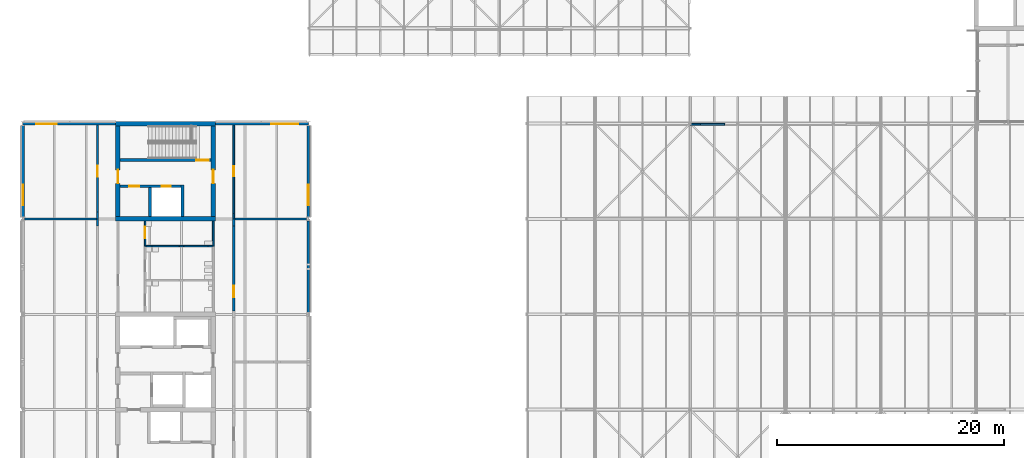
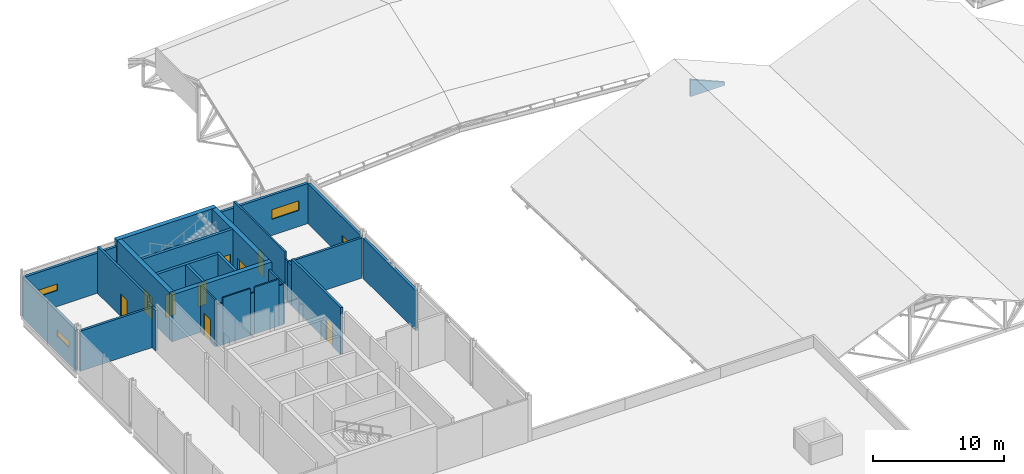
# One storey, part 33 of 76: 30 walls, 9 doors, 4 windows, 13 openings.
"""IFC4 building model written with IfcOpenShell, lengths in metres."""

from ifc_helpers import new_model, si_unit, direction, frame, frame_2d, origin, place, context, subcontext, project, spatial, polyline, rectangle, outline, extrude, material, layer, layer_set, type_object, element, fill, save


model = new_model("IFC4")

# Units and contexts
model_context = context("Model", 3, precision=1e-05, world=origin(), true_north=direction((0.0, 1.0)))
body_context = subcontext(model_context, "Body", "Model", "MODEL_VIEW")
ifc_project = project(units=[si_unit("LENGTHUNIT", "METRE"), si_unit("AREAUNIT", "SQUARE_METRE"), si_unit("VOLUMEUNIT", "CUBIC_METRE"), si_unit("PLANEANGLEUNIT", "RADIAN"), si_unit("MASSUNIT", "GRAM", prefix="KILO")], contexts=[model_context])

# Site, building, storey
site_placement = place(None, origin())
site = spatial("IfcSite", under=ifc_project, at=site_placement, CompositionType="ELEMENT")
building_placement = place(site_placement, origin())
building = spatial("IfcBuilding", under=site, at=building_placement, Name="Hlaing Beacon Police Headquarters", CompositionType="ELEMENT")
storey_placement = place(building_placement, frame((0.0, 0.0, 18.89990234375)))
storey = spatial("IfcBuildingStorey", under=building, at=storey_placement, Name="L04", CompositionType="ELEMENT", Elevation=18.89990234375)

# Walls
ifc_material_1 = material(Name="Concrete C60/75", Category="concrete")
ifc_layer_1 = layer(ifc_material_1, 0.39990234375)
ifc_layer_set_1 = layer_set([ifc_layer_1], Name="Concrete C60/75")
wall_type_1 = type_object("IfcWallType", Name="Core shear wall 400", PredefinedType="SHEAR", material=ifc_layer_set_1)
for number, where, z_axis, x_axis, name in (
    (1, (16.60009765625, 58.800048828125, 0.0), (0.0, 0.0, 1.0), (1.0, 0.0, 0.0), "Core shear wall"),
    (2, (16.60009765625, 67.199951171875, 0.0), (0.0, 0.0, 1.0), (1.0, 0.0, 0.0), "Core shear wall"),
):
    element("IfcWall", number, at=place(storey_placement, frame(where, z_axis=z_axis, x_axis=x_axis)), inside=storey, type_object=wall_type_1, Name=name, PredefinedType="SHEAR", context=body_context, shape_type="SweptSolid", body=[
        extrude(rectangle(XDim=8.7998046875, YDim=0.39990234375, at=frame_2d((4.39990234375, 0.0))), origin(), (0.0, 0.0, 1.0), 4.3701171875),
    ])

# Wall, opening, door
wall_1_placement = place(storey_placement, frame((16.800048828125, 59.0, 0.0), z_axis=(0.0, 0.0, 1.0), x_axis=(0.0, 1.0, 0.0)))
wall_1 = element("IfcWall", 3, at=wall_1_placement, inside=storey, type_object=wall_type_1, Name="Core shear wall", PredefinedType="SHEAR", context=body_context, shape_type="SweptSolid", body=[
    extrude(rectangle(XDim=8.0, YDim=0.39990234375, at=frame_2d((4.0, 0.0))), origin(), (0.0, 0.0, 1.0), 4.3701171875),
])
opening_1_placement = place(wall_1_placement, frame((2.925048828125, 0.0, 0.0)))
opening_1 = element("IfcOpeningElement", 4, at=opening_1_placement, cuts=wall_1, Name="Opening L04-923", PredefinedType="OPENING", context=body_context, shape_type="SweptSolid", body=[
    extrude(rectangle(XDim=1.199951171875, YDim=2.10009765625, at=frame_2d((0.60009765625, 1.050048828125))), frame((0.0, 0.2099609375, 0.0), z_axis=(0.0, -1.0, 0.0), x_axis=(1.0, 0.0, 0.0)), (0.0, 0.0, 1.0), 0.419921875),
])
ifc_material_2 = material(Name="Steel fire door leaf", Category="steel")
ifc_layer_2 = layer(ifc_material_2, 0.070068359375)
ifc_layer_set_2 = layer_set([ifc_layer_2], Name="Steel fire door leaf")
door_type_1 = type_object("IfcDoorType", Name="Steel fire door FD60S 1200x2100", OperationType="SINGLE_SWING_LEFT", PredefinedType="DOOR", material=ifc_layer_set_2)
door_1_placement = place(opening_1_placement, frame((1.199951171875, 0.0, 0.0), z_axis=(0.0, 0.0, 1.0), x_axis=(-1.0, 0.0, 0.0)))
door_1 = element("IfcDoor", 5, at=door_1_placement, inside=storey, type_object=door_type_1, Name="Door Stair Lobby ST-P Entry", OperationType="SINGLE_SWING_LEFT", OverallHeight=2.10009765625, OverallWidth=1.199951171875, PredefinedType="DOOR", context=body_context, shape_type="SweptSolid", body=[
    extrude(rectangle(XDim=1.199951171875, YDim=2.10009765625, at=frame_2d((0.599853515625, 1.050048828125))), frame((0.0, 0.034912109375, 0.0), z_axis=(0.0, -1.0, 0.0), x_axis=(1.0, 0.0, 0.0)), (0.0, 0.0, 1.0), 0.070068359375),
])
fill(opening_1, door_1)

wall_2_placement = place(storey_placement, frame((25.199951171875, 59.0, 0.0), z_axis=(0.0, 0.0, 1.0), x_axis=(0.0, 1.0, 0.0)))
wall_2 = element("IfcWall", 6, at=wall_2_placement, inside=storey, type_object=wall_type_1, Name="Core shear wall", PredefinedType="SHEAR", context=body_context, shape_type="SweptSolid", body=[
    extrude(rectangle(XDim=8.0, YDim=0.39990234375, at=frame_2d((4.0, 0.0))), origin(), (0.0, 0.0, 1.0), 4.3701171875),
])
opening_2_placement = place(wall_2_placement, frame((2.925048828125, 0.0, 0.0)))
opening_2 = element("IfcOpeningElement", 7, at=opening_2_placement, cuts=wall_2, Name="Opening L04-924", PredefinedType="OPENING", context=body_context, shape_type="SweptSolid", body=[
    extrude(rectangle(XDim=1.199951171875, YDim=2.10009765625, at=frame_2d((0.60009765625, 1.050048828125))), frame((0.0, 0.2099609375, 0.0), z_axis=(0.0, -1.0, 0.0), x_axis=(1.0, 0.0, 0.0)), (0.0, 0.0, 1.0), 0.419921875),
])
door_2_placement = place(opening_2_placement, origin())
door_2 = element("IfcDoor", 8, at=door_2_placement, inside=storey, type_object=door_type_1, Name="Door Stair Lobby ST-P Entry", OperationType="SINGLE_SWING_RIGHT", OverallHeight=2.10009765625, OverallWidth=1.199951171875, PredefinedType="DOOR", context=body_context, shape_type="SweptSolid", body=[
    extrude(rectangle(XDim=1.199951171875, YDim=2.10009765625, at=frame_2d((0.60009765625, 1.050048828125))), frame((0.0, 0.03515625, 0.0), z_axis=(0.0, -1.0, 0.0), x_axis=(1.0, 0.0, 0.0)), (0.0, 0.0, 1.0), 0.070068359375),
])
fill(opening_2, door_2)

# Wall
ifc_material_3 = material(Name="Gypsum board partition")
ifc_layer_3 = layer(ifc_material_3, 0.14990234375)
ifc_layer_set_3 = layer_set([ifc_layer_3], Name="Gypsum board partition")
wall_type_2 = type_object("IfcWallType", Name="Corridor wall EI 30 150", PredefinedType="PARTITIONING", material=ifc_layer_set_3)
wall_3_placement = place(storey_placement, frame((27.0, 58.800048828125, 0.0), z_axis=(0.0, 0.0, 1.0), x_axis=(0.0, 1.0, 0.0)))
element("IfcWall", 9, at=wall_3_placement, inside=storey, type_object=wall_type_2, Name="Corridor wall EI 30 150", PredefinedType="PARTITIONING", context=body_context, shape_type="SweptSolid", body=[
    extrude(rectangle(XDim=0.4599609375, YDim=0.14990234375, at=frame_2d((0.22998046875, 0.0))), origin(), (0.0, 0.0, 1.0), 3.74609375),
])

# Wall, opening, door
wall_4_placement = place(storey_placement, frame((27.0, 59.260009765625, 0.0), z_axis=(0.0, 0.0, 1.0), x_axis=(0.0, 1.0, 0.0)))
wall_4 = element("IfcWall", 10, at=wall_4_placement, inside=storey, type_object=wall_type_2, Name="Corridor wall EI 30 150", PredefinedType="PARTITIONING", context=body_context, shape_type="SweptSolid", body=[
    extrude(rectangle(XDim=7.7900390625, YDim=0.14990234375, at=frame_2d((3.89501953125, 0.0))), origin(), (0.0, 0.0, 1.0), 4.3701171875),
])
opening_3_placement = place(wall_4_placement, frame((3.2900390625, 0.0, 0.0)))
opening_3 = element("IfcOpeningElement", 11, at=opening_3_placement, cuts=wall_4, Name="Opening L04-014", PredefinedType="OPENING", context=body_context, shape_type="SweptSolid", body=[
    extrude(rectangle(XDim=0.89990234375, YDim=2.10009765625, at=frame_2d((0.449951171875, 1.050048828125))), frame((0.0, 0.0849609375, 0.0), z_axis=(0.0, -1.0, 0.0), x_axis=(1.0, 0.0, 0.0)), (0.0, 0.0, 1.0), 0.169921875),
])
ifc_material_4 = material(Name="Hardwood door leaf", Category="wood")
ifc_layer_4 = layer(ifc_material_4, 0.050048828125)
ifc_layer_set_4 = layer_set([ifc_layer_4], Name="Hardwood door leaf")
door_type_2 = type_object("IfcDoorType", Name="Fire door FD30S 900x2100", OperationType="SINGLE_SWING_LEFT", PredefinedType="DOOR", material=ifc_layer_set_4)
door_3_placement = place(opening_3_placement, frame((0.89990234375, 0.0, 0.0), z_axis=(0.0, 0.0, 1.0), x_axis=(-1.0, 0.0, 0.0)))
door_3 = element("IfcDoor", 12, at=door_3_placement, inside=storey, type_object=door_type_2, Name="Door Laboratory Offices", OperationType="SINGLE_SWING_LEFT", OverallHeight=2.10009765625, OverallWidth=0.89990234375, PredefinedType="DOOR", context=body_context, shape_type="SweptSolid", body=[
    extrude(rectangle(XDim=0.89990234375, YDim=2.10009765625, at=frame_2d((0.449951171875, 1.050048828125))), frame((0.0, 0.025146484375, 0.0), z_axis=(0.0, -1.0, 0.0), x_axis=(1.0, 0.0, 0.0)), (0.0, 0.0, 1.0), 0.050048828125),
])
fill(opening_3, door_3)

# Walls
wall_5_placement = place(storey_placement, frame((25.199951171875, 56.39990234375, 0.0), z_axis=(0.0, 0.0, 1.0), x_axis=(0.0, 1.0, 0.0)))
element("IfcWall", 13, at=wall_5_placement, inside=storey, type_object=wall_type_2, Name="Corridor wall EI 30 150", PredefinedType="PARTITIONING", context=body_context, shape_type="SweptSolid", body=[
    extrude(rectangle(XDim=2.2001953125, YDim=0.14990234375, at=frame_2d((1.10009765625, 0.0))), origin(), (0.0, 0.0, 1.0), 3.74609375),
])
ifc_material_5 = material(Name="Insulated aluminium panel infill", Category="aluminium")
ifc_layer_5 = layer(ifc_material_5, 0.175048828125)
ifc_layer_set_5 = layer_set([ifc_layer_5], Name="Insulated aluminium panel infill")
wall_type_3 = type_object("IfcWallType", Name="Insulated panel infill wall 175", PredefinedType="SOLIDWALL", material=ifc_layer_set_5)
wall_6_placement = place(storey_placement, frame((70.2333984375, 67.137451171875, 0.0), z_axis=(0.0, 0.0, 1.0), x_axis=(-1.0, 0.0, 0.0)))
element("IfcWall", 14, at=wall_6_placement, inside=storey, type_object=wall_type_3, Name="Gable fascia L04 N002", PredefinedType="SOLIDWALL", context=body_context, shape_type="SweptSolid", body=[
    extrude(outline(polyline([(0.0, 0.0), (3.033447265625, 0.0), (3.033203125, 1.60009765625), (0.0, 0.300048828125), (0.0, 0.0)])), frame((0.0, 0.08740234375, 0.0), z_axis=(0.0, -1.0, 0.0), x_axis=(1.0, 0.0, 0.0)), (0.0, 0.0, 1.0), 0.175048828125),
])

# Wall, opening, door
ifc_material_6 = material(Name="Concrete blockwork 7.5 N/mm2", Category="masonry")
ifc_layer_6 = layer(ifc_material_6, 0.199951171875)
ifc_layer_set_6 = layer_set([ifc_layer_6], Name="Concrete blockwork 7.5 N/mm2")
wall_type_4 = type_object("IfcWallType", Name="Laboratory wall EI 60 200", PredefinedType="PARTITIONING", material=ifc_layer_set_6)
wall_7_placement = place(storey_placement, frame((27.0, 50.705078125, 0.0), z_axis=(0.0, 0.0, 1.0), x_axis=(0.0, 1.0, 0.0)))
wall_7 = element("IfcWall", 15, at=wall_7_placement, inside=storey, type_object=wall_type_4, Name="Laboratory wall EI 60 200", PredefinedType="PARTITIONING", context=body_context, shape_type="SweptSolid", body=[
    extrude(rectangle(XDim=7.48486328125, YDim=0.199951171875, at=frame_2d((3.742431640625, 0.0))), origin(), (0.0, 0.0, 1.0), 4.3701171875),
])
opening_4_placement = place(wall_7_placement, frame((1.195068359375, 0.0, 0.0)))
opening_4 = element("IfcOpeningElement", 16, at=opening_4_placement, cuts=wall_7, Name="Opening L04-013", PredefinedType="OPENING", context=body_context, shape_type="SweptSolid", body=[
    extrude(rectangle(XDim=1.0, YDim=2.10009765625, at=frame_2d((0.5, 1.050048828125))), frame((0.0, 0.10986328125, 0.0), z_axis=(0.0, -1.0, 0.0), x_axis=(1.0, 0.0, 0.0)), (0.0, 0.0, 1.0), 0.219970703125),
])
ifc_material_7 = material(Name="Hardwood door leaf", Category="wood")
ifc_layer_7 = layer(ifc_material_7, 0.050048828125)
ifc_layer_set_7 = layer_set([ifc_layer_7], Name="Hardwood door leaf")
door_type_3 = type_object("IfcDoorType", Name="Fire door FD30 1000x2100", OperationType="SINGLE_SWING_LEFT", PredefinedType="DOOR", material=ifc_layer_set_7)
door_4_placement = place(opening_4_placement, frame((1.0, 0.0, 0.0), z_axis=(0.0, 0.0, 1.0), x_axis=(-1.0, 0.0, 0.0)))
door_4 = element("IfcDoor", 17, at=door_4_placement, inside=storey, type_object=door_type_3, Name="Door Image Analysis Room", OperationType="SINGLE_SWING_RIGHT", OverallHeight=2.10009765625, OverallWidth=1.0, PredefinedType="DOOR", context=body_context, shape_type="SweptSolid", body=[
    extrude(rectangle(XDim=1.0, YDim=2.10009765625, at=frame_2d((0.5, 1.050048828125))), frame((0.0, 0.025146484375, 0.0), z_axis=(0.0, -1.0, 0.0), x_axis=(1.0, 0.0, 0.0)), (0.0, 0.0, 1.0), 0.050048828125),
])
fill(opening_4, door_4)

# Walls
for number, where, z_axis, x_axis, name in (
    (18, (27.0, 58.18994140625, 0.0), (0.0, 0.0, 1.0), (0.0, 1.0, 0.0), "Laboratory wall EI 60 200"),
    (19, (15.0, 58.18994140625, 0.0), (0.0, 0.0, 1.0), (0.0, 1.0, 0.0), "Laboratory wall EI 60 200"),
):
    element("IfcWall", number, at=place(storey_placement, frame(where, z_axis=z_axis, x_axis=x_axis)), inside=storey, type_object=wall_type_4, Name=name, PredefinedType="PARTITIONING", context=body_context, shape_type="SweptSolid", body=[
        extrude(rectangle(XDim=0.610107421875, YDim=0.199951171875, at=frame_2d((0.30517578125, 0.0))), origin(), (0.0, 0.0, 1.0), 3.74609375),
    ])
wall_8_placement = place(storey_placement, frame((15.0, 58.800048828125, 0.0), z_axis=(0.0, 0.0, 1.0), x_axis=(0.0, 1.0, 0.0)))
element("IfcWall", 20, at=wall_8_placement, inside=storey, type_object=wall_type_4, Name="Laboratory wall EI 60 200", PredefinedType="PARTITIONING", context=body_context, shape_type="SweptSolid", body=[
    extrude(rectangle(XDim=0.60986328125, YDim=0.199951171875, at=frame_2d((0.304931640625, 0.0))), origin(), (0.0, 0.0, 1.0), 3.74609375),
])

# Wall, opening, door
wall_9_placement = place(storey_placement, frame((15.0, 59.409912109375, 0.0), z_axis=(0.0, 0.0, 1.0), x_axis=(0.0, 1.0, 0.0)))
wall_9 = element("IfcWall", 21, at=wall_9_placement, inside=storey, type_object=wall_type_4, Name="Laboratory wall EI 60 200", PredefinedType="PARTITIONING", context=body_context, shape_type="SweptSolid", body=[
    extrude(rectangle(XDim=7.64013671875, YDim=0.199951171875, at=frame_2d((3.820068359375, 0.0))), origin(), (0.0, 0.0, 1.0), 4.3701171875),
])
opening_5_placement = place(wall_9_placement, frame((3.090087890625, 0.0, 0.0)))
opening_5 = element("IfcOpeningElement", 22, at=opening_5_placement, cuts=wall_9, Name="Opening L04-020", PredefinedType="OPENING", context=body_context, shape_type="SweptSolid", body=[
    extrude(rectangle(XDim=1.0, YDim=2.10009765625, at=frame_2d((0.5, 1.050048828125))), frame((0.0, 0.10986328125, 0.0), z_axis=(0.0, -1.0, 0.0), x_axis=(1.0, 0.0, 0.0)), (0.0, 0.0, 1.0), 0.219970703125),
])
door_5_placement = place(opening_5_placement, origin())
door_5 = element("IfcDoor", 23, at=door_5_placement, inside=storey, type_object=door_type_3, Name="Door Photography Studio", OperationType="SINGLE_SWING_LEFT", OverallHeight=2.10009765625, OverallWidth=1.0, PredefinedType="DOOR", context=body_context, shape_type="SweptSolid", body=[
    extrude(rectangle(XDim=1.0, YDim=2.10009765625, at=frame_2d((0.5, 1.050048828125))), frame((0.0, 0.02490234375, 0.0), z_axis=(0.0, -1.0, 0.0), x_axis=(1.0, 0.0, 0.0)), (0.0, 0.0, 1.0), 0.050048828125),
])
fill(opening_5, door_5)

# Walls
for number, where, z_axis, x_axis, name in (
    (24, (27.10009765625, 58.800048828125, 0.0), (0.0, 0.0, 1.0), (1.0, 0.0, 0.0), "Laboratory wall EI 60 200"),
    (25, (8.5849609375, 58.800048828125, 0.0), (0.0, 0.0, 1.0), (1.0, 0.0, 0.0), "Laboratory wall EI 60 200"),
):
    element("IfcWall", number, at=place(storey_placement, frame(where, z_axis=z_axis, x_axis=x_axis)), inside=storey, type_object=wall_type_4, Name=name, PredefinedType="PARTITIONING", context=body_context, shape_type="SweptSolid", body=[
        extrude(rectangle(XDim=6.31494140625, YDim=0.199951171875, at=frame_2d((3.157470703125, 0.0))), origin(), (0.0, 0.0, 1.0), 3.74609375),
    ])
ifc_material_8 = material(Name="Gypsum board partition")
ifc_layer_8 = layer(ifc_material_8, 0.125)
ifc_layer_set_8 = layer_set([ifc_layer_8], Name="Gypsum board partition")
wall_type_5 = type_object("IfcWallType", Name="Partition 125", PredefinedType="PARTITIONING", material=ifc_layer_set_8)
wall_10_placement = place(storey_placement, frame((19.261962890625, 56.39990234375, 0.0), z_axis=(0.0, 0.0, 1.0), x_axis=(1.0, 0.0, 0.0)))
element("IfcWall", 26, at=wall_10_placement, inside=storey, type_object=wall_type_5, Name="Partition 125", PredefinedType="PARTITIONING", context=body_context, shape_type="SweptSolid", body=[
    extrude(rectangle(XDim=0.531005859375, YDim=0.125, at=frame_2d((0.265625, 0.0))), origin(), (0.0, 0.0, 1.0), 3.89501953125),
])
wall_11_placement = place(storey_placement, frame((19.79296875, 56.39990234375, 0.0), z_axis=(0.0, 0.0, 1.0), x_axis=(1.0, 0.0, 0.0)))
element("IfcWall", 27, at=wall_11_placement, inside=storey, type_object=wall_type_5, Name="Partition 125", PredefinedType="PARTITIONING", context=body_context, shape_type="SweptSolid", body=[
    extrude(rectangle(XDim=2.4140625, YDim=0.125, at=frame_2d((1.20703125, 0.0))), origin(), (0.0, 0.0, 1.0), 4.3701171875),
])
wall_12_placement = place(storey_placement, frame((22.20703125, 56.39990234375, 0.0), z_axis=(0.0, 0.0, 1.0), x_axis=(1.0, 0.0, 0.0)))
element("IfcWall", 28, at=wall_12_placement, inside=storey, type_object=wall_type_5, Name="Partition 125", PredefinedType="PARTITIONING", context=body_context, shape_type="SweptSolid", body=[
    extrude(rectangle(XDim=0.385009765625, YDim=0.125, at=frame_2d((0.1923828125, 0.0))), origin(), (0.0, 0.0, 1.0), 3.89501953125),
])
wall_13_placement = place(storey_placement, frame((22.592041015625, 56.39990234375, 0.0), z_axis=(0.0, 0.0, 1.0), x_axis=(1.0, 0.0, 0.0)))
element("IfcWall", 29, at=wall_13_placement, inside=storey, type_object=wall_type_5, Name="Partition 125", PredefinedType="PARTITIONING", context=body_context, shape_type="SweptSolid", body=[
    extrude(rectangle(XDim=2.14794921875, YDim=0.125, at=frame_2d((1.073974609375, 0.0))), origin(), (0.0, 0.0, 1.0), 4.3701171875),
])
wall_14_placement = place(storey_placement, frame((24.739990234375, 56.39990234375, 0.0), z_axis=(0.0, 0.0, 1.0), x_axis=(1.0, 0.0, 0.0)))
element("IfcWall", 30, at=wall_14_placement, inside=storey, type_object=wall_type_5, Name="Partition 125", PredefinedType="PARTITIONING", context=body_context, shape_type="SweptSolid", body=[
    extrude(rectangle(XDim=0.385009765625, YDim=0.125, at=frame_2d((0.1923828125, 0.0))), origin(), (0.0, 0.0, 1.0), 3.74609375),
])

# Wall, opening, door
wall_15_placement = place(storey_placement, frame((19.199951171875, 56.39990234375, 0.0), z_axis=(0.0, 0.0, 1.0), x_axis=(0.0, 1.0, 0.0)))
wall_15 = element("IfcWall", 31, at=wall_15_placement, inside=storey, type_object=wall_type_5, Name="Partition 125", PredefinedType="PARTITIONING", context=body_context, shape_type="SweptSolid", body=[
    extrude(rectangle(XDim=2.2001953125, YDim=0.125, at=frame_2d((1.10009765625, 0.0))), origin(), (0.0, 0.0, 1.0), 4.3701171875),
])
opening_6_placement = place(wall_15_placement, frame((0.699951171875, 0.0, 0.0)))
opening_6 = element("IfcOpeningElement", 32, at=opening_6_placement, cuts=wall_15, Name="Opening L04-015", PredefinedType="OPENING", context=body_context, shape_type="SweptSolid", body=[
    extrude(rectangle(XDim=1.0, YDim=2.10009765625, at=frame_2d((0.5, 1.050048828125))), frame((0.0, 0.072509765625, 0.0), z_axis=(0.0, -1.0, 0.0), x_axis=(1.0, 0.0, 0.0)), (0.0, 0.0, 1.0), 0.14501953125),
])
ifc_material_9 = material(Name="Hardwood door leaf", Category="wood")
ifc_layer_9 = layer(ifc_material_9, 0.0400390625)
ifc_layer_set_9 = layer_set([ifc_layer_9], Name="Hardwood door leaf")
door_type_4 = type_object("IfcDoorType", Name="Door 1000x2100", OperationType="SINGLE_SWING_LEFT", PredefinedType="DOOR", material=ifc_layer_set_9)
door_6_placement = place(opening_6_placement, frame((1.0, 0.0, 0.0), z_axis=(0.0, 0.0, 1.0), x_axis=(-1.0, 0.0, 0.0)))
door_6 = element("IfcDoor", 33, at=door_6_placement, inside=storey, type_object=door_type_4, Name="Door Accessible WC", OperationType="SINGLE_SWING_RIGHT", OverallHeight=2.10009765625, OverallWidth=1.0, PredefinedType="DOOR", context=body_context, shape_type="SweptSolid", body=[
    extrude(rectangle(XDim=1.0, YDim=2.10009765625, at=frame_2d((0.5, 1.050048828125))), frame((0.0, 0.02001953125, 0.0), z_axis=(0.0, -1.0, 0.0), x_axis=(1.0, 0.0, 0.0)), (0.0, 0.0, 1.0), 0.0400390625),
])
fill(opening_6, door_6)

# Wall
ifc_material_10 = material(Name="Fibre cement ribbed cladding on insulated frame")
ifc_layer_10 = layer(ifc_material_10, 0.22509765625)
ifc_layer_set_10 = layer_set([ifc_layer_10], Name="Fibre cement ribbed cladding on insulated frame")
wall_type_6 = type_object("IfcWallType", Name="Ribbed fibre-cement clad wall 225", PredefinedType="SOLIDWALL", material=ifc_layer_set_10)
wall_16_placement = place(storey_placement, frame((33.5625, 50.57080078125, 0.0), z_axis=(0.0, 0.0, 1.0), x_axis=(0.0, 1.0, 0.0)))
element("IfcWall", 34, at=wall_16_placement, inside=storey, type_object=wall_type_6, Name="External wall L04 E023", PredefinedType="SOLIDWALL", context=body_context, shape_type="SweptSolid", body=[
    extrude(rectangle(XDim=8.05859375, YDim=0.22509765625, at=frame_2d((4.029296875, 0.0))), origin(), (0.0, 0.0, 1.0), 3.738037109375),
])

# Wall, opening, window
wall_17_placement = place(storey_placement, frame((33.5625, 58.970703125, 0.0), z_axis=(0.0, 0.0, 1.0), x_axis=(0.0, 1.0, 0.0)))
wall_17 = element("IfcWall", 35, at=wall_17_placement, inside=storey, type_object=wall_type_6, Name="External wall L04 E024", PredefinedType="SOLIDWALL", context=body_context, shape_type="SweptSolid", body=[
    extrude(rectangle(XDim=8.05908203125, YDim=0.22509765625, at=frame_2d((4.029541015625, 0.0))), origin(), (0.0, 0.0, 1.0), 3.74609375),
])
opening_7_placement = place(wall_17_placement, frame((1.029296875, 0.0, 1.5)))
opening_7 = element("IfcOpeningElement", 36, at=opening_7_placement, cuts=wall_17, Name="Opening WN14", PredefinedType="OPENING", context=body_context, shape_type="SweptSolid", body=[
    extrude(rectangle(XDim=1.800048828125, YDim=0.60009765625, at=frame_2d((0.89990234375, 0.300048828125))), frame((0.0, 0.12255859375, 0.0), z_axis=(0.0, -1.0, 0.0), x_axis=(1.0, 0.0, 0.0)), (0.0, 0.0, 1.0), 0.2451171875),
])
ifc_material_11 = material(Name="Aluminium frame with solar control glazing", Category="aluminium")
window_type_1 = type_object("IfcWindowType", Name="Strip window 1800x600 frame 80", PartitioningType="SINGLE_PANEL", PredefinedType="WINDOW", material=ifc_material_11)
window_1_placement = place(opening_7_placement, origin())
window_1 = element("IfcWindow", 37, at=window_1_placement, inside=storey, type_object=window_type_1, Name="Window L04 WJ", OverallHeight=0.60009765625, OverallWidth=1.800048828125, PartitioningType="SINGLE_PANEL", PredefinedType="WINDOW", context=body_context, shape_type="SweptSolid", body=[
    extrude(rectangle(XDim=1.800048828125, YDim=0.60009765625, at=frame_2d((0.89990234375, 0.300048828125))), frame((0.0, 0.0400390625, 0.0), z_axis=(0.0, -1.0, 0.0), x_axis=(1.0, 0.0, 0.0)), (0.0, 0.0, 1.0), 0.080078125),
])
fill(opening_7, window_1)

wall_18_placement = place(storey_placement, frame((33.594482421875, 67.16259765625, 0.0), z_axis=(0.0, 0.0, 1.0), x_axis=(-1.0, 0.0, 0.0)))
wall_18 = element("IfcWall", 38, at=wall_18_placement, inside=storey, type_object=wall_type_6, Name="External wall L04 N025", PredefinedType="SOLIDWALL", context=body_context, shape_type="SweptSolid", body=[
    extrude(rectangle(XDim=8.194580078125, YDim=0.22509765625, at=frame_2d((4.09716796875, 0.0))), origin(), (0.0, 0.0, 1.0), 3.74609375),
])
opening_8_placement = place(wall_18_placement, frame((0.89453125, 0.0, 1.5)))
opening_8 = element("IfcOpeningElement", 39, at=opening_8_placement, cuts=wall_18, Name="Opening WN34", PredefinedType="OPENING", context=body_context, shape_type="SweptSolid", body=[
    extrude(rectangle(XDim=2.39990234375, YDim=0.89990234375, at=frame_2d((1.199951171875, 0.449951171875))), frame((0.0, 0.12255859375, 0.0), z_axis=(0.0, -1.0, 0.0), x_axis=(1.0, 0.0, 0.0)), (0.0, 0.0, 1.0), 0.2451171875),
])
ifc_material_12 = material(Name="Aluminium frame with solar control glazing", Category="aluminium")
window_type_2 = type_object("IfcWindowType", Name="Laboratory high window 2400x900 frame 60", PartitioningType="SINGLE_PANEL", PredefinedType="WINDOW", material=ifc_material_12)
window_2_placement = place(opening_8_placement, origin())
window_2 = element("IfcWindow", 40, at=window_2_placement, inside=storey, type_object=window_type_2, Name="Window L04 WF", OverallHeight=0.89990234375, OverallWidth=2.39990234375, PartitioningType="SINGLE_PANEL", PredefinedType="WINDOW", context=body_context, shape_type="SweptSolid", body=[
    extrude(rectangle(XDim=2.39990234375, YDim=0.89990234375, at=frame_2d((1.199951171875, 0.449951171875))), frame((0.0, 0.030029296875, 0.0), z_axis=(0.0, -1.0, 0.0), x_axis=(1.0, 0.0, 0.0)), (0.0, 0.0, 1.0), 0.06005859375),
])
fill(opening_8, window_2)

wall_19_placement = place(storey_placement, frame((16.60009765625, 67.16259765625, 0.0), z_axis=(0.0, 0.0, 1.0), x_axis=(-1.0, 0.0, 0.0)))
wall_19 = element("IfcWall", 41, at=wall_19_placement, inside=storey, type_object=wall_type_6, Name="External wall L04 N026", PredefinedType="SOLIDWALL", context=body_context, shape_type="SweptSolid", body=[
    extrude(rectangle(XDim=8.194580078125, YDim=0.22509765625, at=frame_2d((4.09716796875, 0.0))), origin(), (0.0, 0.0, 1.0), 3.74609375),
])
opening_9_placement = place(wall_19_placement, frame((5.199951171875, 0.0, 1.5)))
opening_9 = element("IfcOpeningElement", 42, at=opening_9_placement, cuts=wall_19, Name="Opening WN19", PredefinedType="OPENING", context=body_context, shape_type="SweptSolid", body=[
    extrude(rectangle(XDim=1.800048828125, YDim=0.60009765625, at=frame_2d((0.89990234375, 0.300048828125))), frame((0.0, 0.12255859375, 0.0), z_axis=(0.0, -1.0, 0.0), x_axis=(1.0, 0.0, 0.0)), (0.0, 0.0, 1.0), 0.2451171875),
])
ifc_material_13 = material(Name="Aluminium frame with solar control glazing", Category="aluminium")
window_type_3 = type_object("IfcWindowType", Name="Strip window 1800x600 frame 60", PartitioningType="SINGLE_PANEL", PredefinedType="WINDOW", material=ifc_material_13)
window_3_placement = place(opening_9_placement, origin())
window_3 = element("IfcWindow", 43, at=window_3_placement, inside=storey, type_object=window_type_3, Name="Window L04 WJ", OverallHeight=0.60009765625, OverallWidth=1.800048828125, PartitioningType="SINGLE_PANEL", PredefinedType="WINDOW", context=body_context, shape_type="SweptSolid", body=[
    extrude(rectangle(XDim=1.800048828125, YDim=0.60009765625, at=frame_2d((0.89990234375, 0.300048828125))), frame((0.0, 0.030029296875, 0.0), z_axis=(0.0, -1.0, 0.0), x_axis=(1.0, 0.0, 0.0)), (0.0, 0.0, 1.0), 0.06005859375),
])
fill(opening_9, window_3)

wall_20_placement = place(storey_placement, frame((8.4375, 67.02978515625, 0.0), z_axis=(0.0, 0.0, 1.0), x_axis=(0.0, -1.0, 0.0)))
wall_20 = element("IfcWall", 44, at=wall_20_placement, inside=storey, type_object=wall_type_6, Name="External wall L04 W027", PredefinedType="SOLIDWALL", context=body_context, shape_type="SweptSolid", body=[
    extrude(rectangle(XDim=8.05908203125, YDim=0.22509765625, at=frame_2d((4.029541015625, 0.0))), origin(), (0.0, 0.0, 1.0), 3.74609375),
])
opening_10_placement = place(wall_20_placement, frame((5.229736328125, 0.0, 1.5)))
opening_10 = element("IfcOpeningElement", 45, at=opening_10_placement, cuts=wall_20, Name="Opening WN14", PredefinedType="OPENING", context=body_context, shape_type="SweptSolid", body=[
    extrude(rectangle(XDim=1.800048828125, YDim=0.60009765625, at=frame_2d((0.89990234375, 0.300048828125))), frame((0.0, 0.12255859375, 0.0), z_axis=(0.0, -1.0, 0.0), x_axis=(1.0, 0.0, 0.0)), (0.0, 0.0, 1.0), 0.2451171875),
])
window_4_placement = place(opening_10_placement, origin())
window_4 = element("IfcWindow", 46, at=window_4_placement, inside=storey, type_object=window_type_1, Name="Window L04 WJ", OverallHeight=0.60009765625, OverallWidth=1.800048828125, PartitioningType="SINGLE_PANEL", PredefinedType="WINDOW", context=body_context, shape_type="SweptSolid", body=[
    extrude(rectangle(XDim=1.800048828125, YDim=0.60009765625, at=frame_2d((0.89990234375, 0.300048828125))), frame((0.0, 0.0400390625, 0.0), z_axis=(0.0, -1.0, 0.0), x_axis=(1.0, 0.0, 0.0)), (0.0, 0.0, 1.0), 0.080078125),
])
fill(opening_10, window_4)

# Wall, opening, door
ifc_material_14 = material(Name="Concrete C40/50", Category="concrete")
ifc_layer_11 = layer(ifc_material_14, 0.25)
ifc_layer_set_11 = layer_set([ifc_layer_11], Name="Concrete C40/50")
wall_type_7 = type_object("IfcWallType", Name="Shaft wall 250", PredefinedType="SOLIDWALL", material=ifc_layer_set_11)
wall_21_placement = place(storey_placement, frame((25.0, 63.97509765625, 0.0), z_axis=(0.0, 0.0, 1.0), x_axis=(-1.0, 0.0, 0.0)))
wall_21 = element("IfcWall", 47, at=wall_21_placement, inside=storey, type_object=wall_type_7, Name="Stair enclosure wall", PredefinedType="SOLIDWALL", context=body_context, shape_type="SweptSolid", body=[
    extrude(rectangle(XDim=8.0, YDim=0.25, at=frame_2d((4.0, 0.0))), origin(), (0.0, 0.0, 1.0), 4.3701171875),
])
opening_11_placement = place(wall_21_placement, frame((0.199951171875, 0.0, 0.0)))
opening_11 = element("IfcOpeningElement", 48, at=opening_11_placement, cuts=wall_21, Name="Opening L04-926", PredefinedType="OPENING", context=body_context, shape_type="SweptSolid", body=[
    extrude(rectangle(XDim=1.10009765625, YDim=2.10009765625, at=frame_2d((0.550048828125, 1.050048828125))), frame((0.0, 0.135009765625, 0.0), z_axis=(0.0, -1.0, 0.0), x_axis=(1.0, 0.0, 0.0)), (0.0, 0.0, 1.0), 0.27001953125),
])
ifc_material_15 = material(Name="Steel fire door leaf", Category="steel")
ifc_layer_12 = layer(ifc_material_15, 0.070068359375)
ifc_layer_set_12 = layer_set([ifc_layer_12], Name="Steel fire door leaf")
door_type_5 = type_object("IfcDoorType", Name="Steel fire door FD60 1100x2100", OperationType="SINGLE_SWING_LEFT", PredefinedType="DOOR", material=ifc_layer_set_12)
door_7_placement = place(opening_11_placement, frame((1.10009765625, 0.0, 0.0), z_axis=(0.0, 0.0, 1.0), x_axis=(-1.0, 0.0, 0.0)))
door_7 = element("IfcDoor", 49, at=door_7_placement, inside=storey, type_object=door_type_5, Name="Door Stair ST-P", OperationType="SINGLE_SWING_LEFT", OverallHeight=2.10009765625, OverallWidth=1.10009765625, PredefinedType="DOOR", context=body_context, shape_type="SweptSolid", body=[
    extrude(rectangle(XDim=1.10009765625, YDim=2.10009765625, at=frame_2d((0.550048828125, 1.050048828125))), frame((0.0, 0.034912109375, 0.0), z_axis=(0.0, -1.0, 0.0), x_axis=(1.0, 0.0, 0.0)), (0.0, 0.0, 1.0), 0.070068359375),
])
fill(opening_11, door_7)

# Wall
wall_22_placement = place(storey_placement, frame((22.47509765625, 61.800048828125, 0.0), z_axis=(0.0, 0.0, 1.0), x_axis=(0.0, -1.0, 0.0)))
element("IfcWall", 50, at=wall_22_placement, inside=storey, type_object=wall_type_7, Name="Lobby wall", PredefinedType="SOLIDWALL", context=body_context, shape_type="SweptSolid", body=[
    extrude(rectangle(XDim=2.800048828125, YDim=0.25, at=frame_2d((1.39990234375, 0.0))), origin(), (0.0, 0.0, 1.0), 4.3701171875),
])

# Wall, openings, doors
wall_23_placement = place(storey_placement, frame((22.35009765625, 61.675048828125, 0.0), z_axis=(0.0, 0.0, 1.0), x_axis=(-1.0, 0.0, 0.0)))
wall_23 = element("IfcWall", 51, at=wall_23_placement, inside=storey, type_object=wall_type_7, Name="Lobby wall", PredefinedType="SOLIDWALL", context=body_context, shape_type="SweptSolid", body=[
    extrude(rectangle(XDim=5.35009765625, YDim=0.25, at=frame_2d((2.675048828125, 0.0))), origin(), (0.0, 0.0, 1.0), 4.3701171875),
])
opening_12_placement = place(wall_23_placement, frame((3.64990234375, 0.0, 0.0)))
opening_12 = element("IfcOpeningElement", 52, at=opening_12_placement, cuts=wall_23, Name="Opening L04-922", PredefinedType="OPENING", context=body_context, shape_type="SweptSolid", body=[
    extrude(rectangle(XDim=0.89990234375, YDim=2.10009765625, at=frame_2d((0.449951171875, 1.050048828125))), frame((0.0, 0.135009765625, 0.0), z_axis=(0.0, -1.0, 0.0), x_axis=(1.0, 0.0, 0.0)), (0.0, 0.0, 1.0), 0.27001953125),
])
opening_13_placement = place(wall_23_placement, frame((0.89990234375, 0.0, 0.0)))
opening_13 = element("IfcOpeningElement", 53, at=opening_13_placement, cuts=wall_23, Name="Opening L04-925", PredefinedType="OPENING", context=body_context, shape_type="SweptSolid", body=[
    extrude(rectangle(XDim=0.800048828125, YDim=2.10009765625, at=frame_2d((0.39990234375, 1.050048828125))), frame((0.0, 0.135009765625, 0.0), z_axis=(0.0, -1.0, 0.0), x_axis=(1.0, 0.0, 0.0)), (0.0, 0.0, 1.0), 0.27001953125),
])
ifc_material_16 = material(Name="Steel fire door leaf", Category="steel")
ifc_layer_13 = layer(ifc_material_16, 0.070068359375)
ifc_layer_set_13 = layer_set([ifc_layer_13], Name="Steel fire door leaf")
door_type_6 = type_object("IfcDoorType", Name="Steel fire door FD60 800x2100", OperationType="SINGLE_SWING_LEFT", PredefinedType="DOOR", material=ifc_layer_set_13)
door_8_placement = place(opening_13_placement, origin())
door_8 = element("IfcDoor", 54, at=door_8_placement, inside=storey, type_object=door_type_6, Name="Door Services Riser", OperationType="SINGLE_SWING_RIGHT", OverallHeight=2.10009765625, OverallWidth=0.800048828125, PredefinedType="DOOR", context=body_context, shape_type="SweptSolid", body=[
    extrude(rectangle(XDim=0.800048828125, YDim=2.10009765625, at=frame_2d((0.39990234375, 1.050048828125))), frame((0.0, 0.03515625, 0.0), z_axis=(0.0, -1.0, 0.0), x_axis=(1.0, 0.0, 0.0)), (0.0, 0.0, 1.0), 0.070068359375),
])
fill(opening_13, door_8)
ifc_material_17 = material(Name="Steel fire door leaf", Category="steel")
ifc_layer_14 = layer(ifc_material_17, 0.070068359375)
ifc_layer_set_14 = layer_set([ifc_layer_14], Name="Steel fire door leaf")
door_type_7 = type_object("IfcDoorType", Name="Steel fire door FD60 900x2100", OperationType="SINGLE_SWING_LEFT", PredefinedType="DOOR", material=ifc_layer_set_14)
door_9_placement = place(opening_12_placement, origin())
door_9 = element("IfcDoor", 55, at=door_9_placement, inside=storey, type_object=door_type_7, Name="Door Cleaners' Store", OperationType="SINGLE_SWING_LEFT", OverallHeight=2.10009765625, OverallWidth=0.89990234375, PredefinedType="DOOR", context=body_context, shape_type="SweptSolid", body=[
    extrude(rectangle(XDim=0.89990234375, YDim=2.10009765625, at=frame_2d((0.449951171875, 1.050048828125))), frame((0.0, 0.03515625, 0.0), z_axis=(0.0, -1.0, 0.0), x_axis=(1.0, 0.0, 0.0)), (0.0, 0.0, 1.0), 0.070068359375),
])
fill(opening_12, door_9)

# Wall
wall_24_placement = place(storey_placement, frame((19.625, 61.550048828125, 0.0), z_axis=(0.0, 0.0, 1.0), x_axis=(0.0, -1.0, 0.0)))
element("IfcWall", 56, at=wall_24_placement, inside=storey, type_object=wall_type_7, Name="Riser wall", PredefinedType="SOLIDWALL", context=body_context, shape_type="SweptSolid", body=[
    extrude(rectangle(XDim=2.550048828125, YDim=0.25, at=frame_2d((1.27490234375, 0.0))), origin(), (0.0, 0.0, 1.0), 4.3701171875),
])

save(model, "model.ifc")
